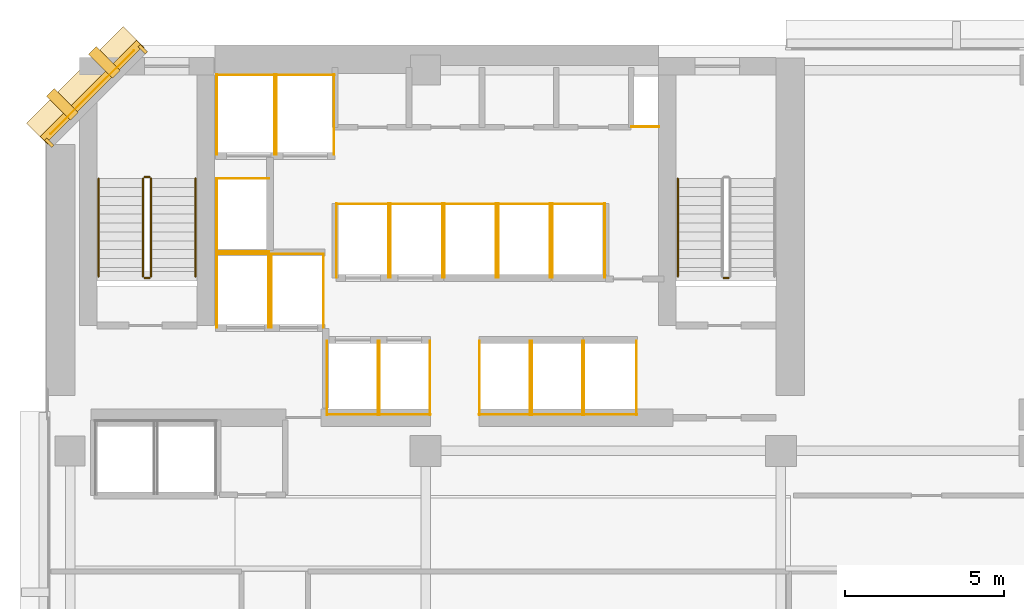
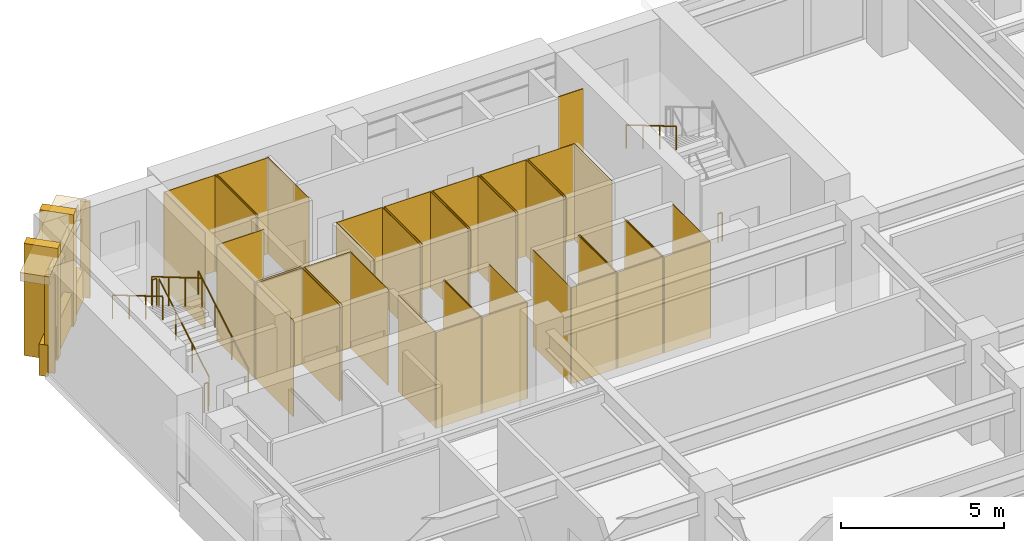
# One storey, part 11 of 13: 53 coverings, 8 railings.
"""IFC4 building model written with IfcOpenShell, lengths in metres."""

from ifc_helpers import new_model, si_unit, direction, frame, origin, origin_2d, place, context, subcontext, project, spatial, polyline, rectangle, circle, outline, extrude, material, layer, layer_set, type_object, element, save


model = new_model("IFC4")

# Units and contexts
model_context = context("Model", 3, precision=1e-05, world=origin(), true_north=direction((0.0, 1.0)))
body_context = subcontext(model_context, "Body", "Model", "MODEL_VIEW")
ifc_project = project(units=[si_unit("LENGTHUNIT", "METRE"), si_unit("AREAUNIT", "SQUARE_METRE"), si_unit("VOLUMEUNIT", "CUBIC_METRE"), si_unit("PLANEANGLEUNIT", "RADIAN"), si_unit("MASSUNIT", "GRAM", prefix="KILO")], contexts=[model_context])

# Site, building, storey
site_placement = place(None, origin())
site = spatial("IfcSite", under=ifc_project, at=site_placement, CompositionType="ELEMENT")
building_placement = place(site_placement, origin())
building = spatial("IfcBuilding", under=site, at=building_placement, Name="Kefirva Bronze Tower", CompositionType="ELEMENT")
storey_placement = place(building_placement, frame((0.0, 0.0, 89.760009765625)))
storey = spatial("IfcBuildingStorey", under=building, at=storey_placement, Name="L21", CompositionType="ELEMENT", Elevation=89.760009765625)

# Coverings
ifc_material_1 = material(Name="Bronze anodised aluminium", Category="aluminium")
ifc_layer_1 = layer(ifc_material_1, 0.02001953125, Name="Bronze anodised aluminium")
ifc_layer_set_1 = layer_set([ifc_layer_1], Name="Bronze anodised aluminium")
covering_type_1 = type_object("IfcCoveringType", Name="Anodised Bronze Spandrel Cladding 20mm", PredefinedType="CLADDING", material=ifc_layer_set_1)
covering_1_placement = place(storey_placement, frame((1.492919921875, 44.507080078125, 3.18994140625), z_axis=(0.0, 0.0, 1.0), x_axis=(-0.707106781187, -0.707106781187, 0.0)))
element("IfcCovering", 1, at=covering_1_placement, inside=storey, type_object=covering_type_1, Name="L21 Bronze Spandrel Cladding 9", PredefinedType="CLADDING", context=body_context, shape_type="SweptSolid", body=[
    extrude(rectangle(XDim=3.719482421875, YDim=0.02001953125, at=origin_2d()), origin(), (0.0, 0.0, 1.0), 0.39990234375),
])
for number, where, z_axis, x_axis, name in (
    (2, (3.08837890625, 45.862060546875, 0.0), (0.0, 0.0, 1.0), (-0.707106781187, -0.707106781187, 0.0), "L21 Facade Joint Closure Panel 9S"),
    (3, (0.137939453125, 42.91162109375, 0.0), (0.0, 0.0, 1.0), (-0.707106781187, -0.707106781187, 0.0), "L21 Facade Joint Closure Panel 9E"),
):
    element("IfcCovering", number, at=place(storey_placement, frame(where, z_axis=z_axis, x_axis=x_axis)), inside=storey, type_object=covering_type_1, Name=name, PredefinedType="CLADDING", context=body_context, shape_type="SweptSolid", body=[
        extrude(rectangle(XDim=0.10009765625, YDim=0.320068359375, at=origin_2d()), origin(), (0.0, 0.0, 1.0), 3.610107421875),
    ])
covering_2_placement = place(storey_placement, frame((1.4716796875, 44.5283203125, -0.16015625), z_axis=(0.0, 0.0, 1.0), x_axis=(-0.707106781187, -0.707106781187, 0.0)))
element("IfcCovering", 4, at=covering_2_placement, inside=storey, type_object=covering_type_1, Name="L21 Streamline Horizontal Spandrel Band 13", PredefinedType="CLADDING", context=body_context, shape_type="SweptSolid", body=[
    extrude(rectangle(XDim=4.28271484375, YDim=0.280029296875, at=origin_2d()), origin(), (0.0, 0.0, 1.0), 1.179931640625),
])
covering_3_placement = place(storey_placement, origin())
element("IfcCovering", 5, at=covering_3_placement, inside=storey, type_object=covering_type_1, Name="L21 Lift FF1 Hoistway Liner N", PredefinedType="CLADDING", context=body_context, shape_type="SweptSolid", body=[
    extrude(outline(polyline([(5.39990234375, 39.389892578125), (7.080078125, 39.389892578125), (7.080078125, 39.409912109375), (5.39990234375, 39.409912109375), (5.39990234375, 39.389892578125)])), origin(), (0.0, 0.0, 1.0), 3.610107421875),
])
covering_4_placement = place(storey_placement, origin())
element("IfcCovering", 6, at=covering_4_placement, inside=storey, type_object=covering_type_1, Name="L21 Lift FF1 Hoistway Liner W", PredefinedType="CLADDING", context=body_context, shape_type="SweptSolid", body=[
    extrude(outline(polyline([(5.409912109375, 37.080078125), (5.429931640625, 37.080078125), (5.429931640625, 39.419921875), (5.409912109375, 39.419921875), (5.409912109375, 37.080078125)])), origin(), (0.0, 0.0, 1.0), 3.610107421875),
])
covering_5_placement = place(storey_placement, origin())
element("IfcCovering", 7, at=covering_5_placement, inside=storey, type_object=covering_type_1, Name="L21 Lift FF1 Hoistway Liner E", PredefinedType="CLADDING", context=body_context, shape_type="SweptSolid", body=[
    extrude(outline(polyline([(7.050048828125, 37.080078125), (7.070068359375, 37.080078125), (7.070068359375, 39.419921875), (7.050048828125, 39.419921875), (7.050048828125, 37.080078125)])), origin(), (0.0, 0.0, 1.0), 3.610107421875),
])
covering_6_placement = place(storey_placement, origin())
element("IfcCovering", 8, at=covering_6_placement, inside=storey, type_object=covering_type_1, Name="L21 Lift FF2 Hoistway Liner N", PredefinedType="CLADDING", context=body_context, shape_type="SweptSolid", body=[
    extrude(outline(polyline([(7.1201171875, 39.389892578125), (8.800048828125, 39.389892578125), (8.800048828125, 39.409912109375), (7.1201171875, 39.409912109375), (7.1201171875, 39.389892578125)])), origin(), (0.0, 0.0, 1.0), 3.610107421875),
])
covering_7_placement = place(storey_placement, origin())
element("IfcCovering", 9, at=covering_7_placement, inside=storey, type_object=covering_type_1, Name="L21 Lift FF2 Hoistway Liner W", PredefinedType="CLADDING", context=body_context, shape_type="SweptSolid", body=[
    extrude(outline(polyline([(7.1298828125, 37.080078125), (7.14990234375, 37.080078125), (7.14990234375, 39.419921875), (7.1298828125, 39.419921875), (7.1298828125, 37.080078125)])), origin(), (0.0, 0.0, 1.0), 3.610107421875),
])
covering_8_placement = place(storey_placement, origin())
element("IfcCovering", 10, at=covering_8_placement, inside=storey, type_object=covering_type_1, Name="L21 Lift FF2 Hoistway Liner E", PredefinedType="CLADDING", context=body_context, shape_type="SweptSolid", body=[
    extrude(outline(polyline([(8.77001953125, 37.080078125), (8.7900390625, 37.080078125), (8.7900390625, 39.419921875), (8.77001953125, 39.419921875), (8.77001953125, 37.080078125)])), origin(), (0.0, 0.0, 1.0), 3.610107421875),
])
covering_9_placement = place(storey_placement, origin())
element("IfcCovering", 11, at=covering_9_placement, inside=storey, type_object=covering_type_1, Name="L21 Lift SV1 Hoistway Liner N", PredefinedType="CLADDING", context=body_context, shape_type="SweptSolid", body=[
    extrude(outline(polyline([(5.39990234375, 45.0400390625), (7.260009765625, 45.0400390625), (7.260009765625, 45.06005859375), (5.39990234375, 45.06005859375), (5.39990234375, 45.0400390625)])), origin(), (0.0, 0.0, 1.0), 3.610107421875),
])
covering_10_placement = place(storey_placement, origin())
element("IfcCovering", 12, at=covering_10_placement, inside=storey, type_object=covering_type_1, Name="L21 Lift SV1 Hoistway Liner W", PredefinedType="CLADDING", context=body_context, shape_type="SweptSolid", body=[
    extrude(outline(polyline([(5.409912109375, 42.530029296875), (5.429931640625, 42.530029296875), (5.429931640625, 45.070068359375), (5.409912109375, 45.070068359375), (5.409912109375, 42.530029296875)])), origin(), (0.0, 0.0, 1.0), 3.610107421875),
])
covering_11_placement = place(storey_placement, origin())
element("IfcCovering", 13, at=covering_11_placement, inside=storey, type_object=covering_type_1, Name="L21 Lift SV1 Hoistway Liner E", PredefinedType="CLADDING", context=body_context, shape_type="SweptSolid", body=[
    extrude(outline(polyline([(7.22998046875, 42.530029296875), (7.25, 42.530029296875), (7.25, 45.070068359375), (7.22998046875, 45.070068359375), (7.22998046875, 42.530029296875)])), origin(), (0.0, 0.0, 1.0), 3.610107421875),
])
covering_12_placement = place(storey_placement, origin())
element("IfcCovering", 14, at=covering_12_placement, inside=storey, type_object=covering_type_1, Name="L21 Lift SV2 Hoistway Liner N", PredefinedType="CLADDING", context=body_context, shape_type="SweptSolid", body=[
    extrude(outline(polyline([(7.280029296875, 45.0400390625), (9.139892578125, 45.0400390625), (9.139892578125, 45.06005859375), (7.280029296875, 45.06005859375), (7.280029296875, 45.0400390625)])), origin(), (0.0, 0.0, 1.0), 3.610107421875),
])
covering_13_placement = place(storey_placement, origin())
element("IfcCovering", 15, at=covering_13_placement, inside=storey, type_object=covering_type_1, Name="L21 Lift SV2 Hoistway Liner W", PredefinedType="CLADDING", context=body_context, shape_type="SweptSolid", body=[
    extrude(outline(polyline([(7.2900390625, 42.530029296875), (7.31005859375, 42.530029296875), (7.31005859375, 45.070068359375), (7.2900390625, 45.070068359375), (7.2900390625, 42.530029296875)])), origin(), (0.0, 0.0, 1.0), 3.610107421875),
])
covering_14_placement = place(storey_placement, origin())
element("IfcCovering", 16, at=covering_14_placement, inside=storey, type_object=covering_type_1, Name="L21 Lift SV2 Hoistway Liner E", PredefinedType="CLADDING", context=body_context, shape_type="SweptSolid", body=[
    extrude(outline(polyline([(9.110107421875, 42.530029296875), (9.1298828125, 42.530029296875), (9.1298828125, 45.070068359375), (9.110107421875, 45.070068359375), (9.110107421875, 42.530029296875)])), origin(), (0.0, 0.0, 1.0), 3.610107421875),
])
covering_15_placement = place(storey_placement, origin())
element("IfcCovering", 17, at=covering_15_placement, inside=storey, type_object=covering_type_1, Name="L21 Lift LP1 Hoistway Liner S", PredefinedType="CLADDING", context=body_context, shape_type="SweptSolid", body=[
    extrude(outline(polyline([(8.8798828125, 34.340087890625), (10.52001953125, 34.340087890625), (10.52001953125, 34.360107421875), (8.8798828125, 34.360107421875), (8.8798828125, 34.340087890625)])), origin(), (0.0, 0.0, 1.0), 3.610107421875),
])
covering_16_placement = place(storey_placement, origin())
element("IfcCovering", 18, at=covering_16_placement, inside=storey, type_object=covering_type_1, Name="L21 Lift LP1 Hoistway Liner W", PredefinedType="CLADDING", context=body_context, shape_type="SweptSolid", body=[
    extrude(outline(polyline([(8.889892578125, 34.330078125), (8.909912109375, 34.330078125), (8.909912109375, 36.669921875), (8.889892578125, 36.669921875), (8.889892578125, 34.330078125)])), origin(), (0.0, 0.0, 1.0), 3.610107421875),
])
covering_17_placement = place(storey_placement, origin())
element("IfcCovering", 19, at=covering_17_placement, inside=storey, type_object=covering_type_1, Name="L21 Lift LP1 Hoistway Liner E", PredefinedType="CLADDING", context=body_context, shape_type="SweptSolid", body=[
    extrude(outline(polyline([(10.489990234375, 34.330078125), (10.510009765625, 34.330078125), (10.510009765625, 36.669921875), (10.489990234375, 36.669921875), (10.489990234375, 34.330078125)])), origin(), (0.0, 0.0, 1.0), 3.610107421875),
])
covering_18_placement = place(storey_placement, origin())
element("IfcCovering", 20, at=covering_18_placement, inside=storey, type_object=covering_type_1, Name="L21 Lift LP2 Hoistway Liner S", PredefinedType="CLADDING", context=body_context, shape_type="SweptSolid", body=[
    extrude(outline(polyline([(10.52001953125, 34.340087890625), (12.159912109375, 34.340087890625), (12.159912109375, 34.360107421875), (10.52001953125, 34.360107421875), (10.52001953125, 34.340087890625)])), origin(), (0.0, 0.0, 1.0), 3.610107421875),
])
covering_19_placement = place(storey_placement, origin())
element("IfcCovering", 21, at=covering_19_placement, inside=storey, type_object=covering_type_1, Name="L21 Lift LP2 Hoistway Liner W", PredefinedType="CLADDING", context=body_context, shape_type="SweptSolid", body=[
    extrude(outline(polyline([(10.530029296875, 34.330078125), (10.550048828125, 34.330078125), (10.550048828125, 36.669921875), (10.530029296875, 36.669921875), (10.530029296875, 34.330078125)])), origin(), (0.0, 0.0, 1.0), 3.610107421875),
])
covering_20_placement = place(storey_placement, origin())
element("IfcCovering", 22, at=covering_20_placement, inside=storey, type_object=covering_type_1, Name="L21 Lift LP2 Hoistway Liner E", PredefinedType="CLADDING", context=body_context, shape_type="SweptSolid", body=[
    extrude(outline(polyline([(12.1298828125, 34.330078125), (12.14990234375, 34.330078125), (12.14990234375, 36.669921875), (12.1298828125, 36.669921875), (12.1298828125, 34.330078125)])), origin(), (0.0, 0.0, 1.0), 3.610107421875),
])
covering_21_placement = place(storey_placement, origin())
element("IfcCovering", 23, at=covering_21_placement, inside=storey, type_object=covering_type_1, Name="L21 Lift LP3 Hoistway Liner N", PredefinedType="CLADDING", context=body_context, shape_type="SweptSolid", body=[
    extrude(outline(polyline([(9.179931640625, 40.969970703125), (10.85009765625, 40.969970703125), (10.85009765625, 40.989990234375), (9.179931640625, 40.989990234375), (9.179931640625, 40.969970703125)])), origin(), (0.0, 0.0, 1.0), 3.610107421875),
])
covering_22_placement = place(storey_placement, origin())
element("IfcCovering", 24, at=covering_22_placement, inside=storey, type_object=covering_type_1, Name="L21 Lift LP3 Hoistway Liner W", PredefinedType="CLADDING", context=body_context, shape_type="SweptSolid", body=[
    extrude(outline(polyline([(9.18994140625, 38.659912109375), (9.2099609375, 38.659912109375), (9.2099609375, 41.0), (9.18994140625, 41.0), (9.18994140625, 38.659912109375)])), origin(), (0.0, 0.0, 1.0), 3.610107421875),
])
covering_23_placement = place(storey_placement, origin())
element("IfcCovering", 25, at=covering_23_placement, inside=storey, type_object=covering_type_1, Name="L21 Lift LP3 Hoistway Liner E", PredefinedType="CLADDING", context=body_context, shape_type="SweptSolid", body=[
    extrude(outline(polyline([(10.820068359375, 38.659912109375), (10.840087890625, 38.659912109375), (10.840087890625, 41.0), (10.820068359375, 41.0), (10.820068359375, 38.659912109375)])), origin(), (0.0, 0.0, 1.0), 3.610107421875),
])
covering_24_placement = place(storey_placement, origin())
element("IfcCovering", 26, at=covering_24_placement, inside=storey, type_object=covering_type_1, Name="L21 Lift LP4 Hoistway Liner N", PredefinedType="CLADDING", context=body_context, shape_type="SweptSolid", body=[
    extrude(outline(polyline([(10.8798828125, 40.969970703125), (12.550048828125, 40.969970703125), (12.550048828125, 40.989990234375), (10.8798828125, 40.989990234375), (10.8798828125, 40.969970703125)])), origin(), (0.0, 0.0, 1.0), 3.610107421875),
])
covering_25_placement = place(storey_placement, origin())
element("IfcCovering", 27, at=covering_25_placement, inside=storey, type_object=covering_type_1, Name="L21 Lift LP4 Hoistway Liner W", PredefinedType="CLADDING", context=body_context, shape_type="SweptSolid", body=[
    extrude(outline(polyline([(10.889892578125, 38.659912109375), (10.909912109375, 38.659912109375), (10.909912109375, 41.0), (10.889892578125, 41.0), (10.889892578125, 38.659912109375)])), origin(), (0.0, 0.0, 1.0), 3.610107421875),
])
covering_26_placement = place(storey_placement, origin())
element("IfcCovering", 28, at=covering_26_placement, inside=storey, type_object=covering_type_1, Name="L21 Lift LP4 Hoistway Liner E", PredefinedType="CLADDING", context=body_context, shape_type="SweptSolid", body=[
    extrude(outline(polyline([(12.52001953125, 38.659912109375), (12.5400390625, 38.659912109375), (12.5400390625, 41.0), (12.52001953125, 41.0), (12.52001953125, 38.659912109375)])), origin(), (0.0, 0.0, 1.0), 3.610107421875),
])
covering_27_placement = place(storey_placement, origin())
element("IfcCovering", 29, at=covering_27_placement, inside=storey, type_object=covering_type_1, Name="L21 Lift MP1 Hoistway Liner S", PredefinedType="CLADDING", context=body_context, shape_type="SweptSolid", body=[
    extrude(outline(polyline([(13.679931640625, 34.340087890625), (15.320068359375, 34.340087890625), (15.320068359375, 34.360107421875), (13.679931640625, 34.360107421875), (13.679931640625, 34.340087890625)])), origin(), (0.0, 0.0, 1.0), 3.610107421875),
])
covering_28_placement = place(storey_placement, origin())
element("IfcCovering", 30, at=covering_28_placement, inside=storey, type_object=covering_type_1, Name="L21 Lift MP1 Hoistway Liner W", PredefinedType="CLADDING", context=body_context, shape_type="SweptSolid", body=[
    extrude(outline(polyline([(13.68994140625, 34.330078125), (13.7099609375, 34.330078125), (13.7099609375, 36.669921875), (13.68994140625, 36.669921875), (13.68994140625, 34.330078125)])), origin(), (0.0, 0.0, 1.0), 3.610107421875),
])
covering_29_placement = place(storey_placement, origin())
element("IfcCovering", 31, at=covering_29_placement, inside=storey, type_object=covering_type_1, Name="L21 Lift MP1 Hoistway Liner E", PredefinedType="CLADDING", context=body_context, shape_type="SweptSolid", body=[
    extrude(outline(polyline([(15.2900390625, 34.330078125), (15.31005859375, 34.330078125), (15.31005859375, 36.669921875), (15.2900390625, 36.669921875), (15.2900390625, 34.330078125)])), origin(), (0.0, 0.0, 1.0), 3.610107421875),
])
covering_30_placement = place(storey_placement, origin())
element("IfcCovering", 32, at=covering_30_placement, inside=storey, type_object=covering_type_1, Name="L21 Lift MP2 Hoistway Liner S", PredefinedType="CLADDING", context=body_context, shape_type="SweptSolid", body=[
    extrude(outline(polyline([(15.330078125, 34.340087890625), (16.969970703125, 34.340087890625), (16.969970703125, 34.360107421875), (15.330078125, 34.360107421875), (15.330078125, 34.340087890625)])), origin(), (0.0, 0.0, 1.0), 3.610107421875),
])
covering_31_placement = place(storey_placement, origin())
element("IfcCovering", 33, at=covering_31_placement, inside=storey, type_object=covering_type_1, Name="L21 Lift MP2 Hoistway Liner W", PredefinedType="CLADDING", context=body_context, shape_type="SweptSolid", body=[
    extrude(outline(polyline([(15.340087890625, 34.330078125), (15.360107421875, 34.330078125), (15.360107421875, 36.669921875), (15.340087890625, 36.669921875), (15.340087890625, 34.330078125)])), origin(), (0.0, 0.0, 1.0), 3.610107421875),
])
covering_32_placement = place(storey_placement, origin())
element("IfcCovering", 34, at=covering_32_placement, inside=storey, type_object=covering_type_1, Name="L21 Lift MP2 Hoistway Liner E", PredefinedType="CLADDING", context=body_context, shape_type="SweptSolid", body=[
    extrude(outline(polyline([(16.93994140625, 34.330078125), (16.9599609375, 34.330078125), (16.9599609375, 36.669921875), (16.93994140625, 36.669921875), (16.93994140625, 34.330078125)])), origin(), (0.0, 0.0, 1.0), 3.610107421875),
])
covering_33_placement = place(storey_placement, origin())
element("IfcCovering", 35, at=covering_33_placement, inside=storey, type_object=covering_type_1, Name="L21 Lift MP3 Hoistway Liner N", PredefinedType="CLADDING", context=body_context, shape_type="SweptSolid", body=[
    extrude(outline(polyline([(12.580078125, 40.969970703125), (14.25, 40.969970703125), (14.25, 40.989990234375), (12.580078125, 40.989990234375), (12.580078125, 40.969970703125)])), origin(), (0.0, 0.0, 1.0), 3.610107421875),
])
covering_34_placement = place(storey_placement, origin())
element("IfcCovering", 36, at=covering_34_placement, inside=storey, type_object=covering_type_1, Name="L21 Lift MP3 Hoistway Liner W", PredefinedType="CLADDING", context=body_context, shape_type="SweptSolid", body=[
    extrude(outline(polyline([(12.590087890625, 38.659912109375), (12.610107421875, 38.659912109375), (12.610107421875, 41.0), (12.590087890625, 41.0), (12.590087890625, 38.659912109375)])), origin(), (0.0, 0.0, 1.0), 3.610107421875),
])
covering_35_placement = place(storey_placement, origin())
element("IfcCovering", 37, at=covering_35_placement, inside=storey, type_object=covering_type_1, Name="L21 Lift MP3 Hoistway Liner E", PredefinedType="CLADDING", context=body_context, shape_type="SweptSolid", body=[
    extrude(outline(polyline([(14.219970703125, 38.659912109375), (14.239990234375, 38.659912109375), (14.239990234375, 41.0), (14.219970703125, 41.0), (14.219970703125, 38.659912109375)])), origin(), (0.0, 0.0, 1.0), 3.610107421875),
])
covering_36_placement = place(storey_placement, origin())
element("IfcCovering", 38, at=covering_36_placement, inside=storey, type_object=covering_type_1, Name="L21 Lift MP4 Hoistway Liner N", PredefinedType="CLADDING", context=body_context, shape_type="SweptSolid", body=[
    extrude(outline(polyline([(14.280029296875, 40.969970703125), (15.949951171875, 40.969970703125), (15.949951171875, 40.989990234375), (14.280029296875, 40.989990234375), (14.280029296875, 40.969970703125)])), origin(), (0.0, 0.0, 1.0), 3.610107421875),
])
covering_37_placement = place(storey_placement, origin())
element("IfcCovering", 39, at=covering_37_placement, inside=storey, type_object=covering_type_1, Name="L21 Lift MP4 Hoistway Liner W", PredefinedType="CLADDING", context=body_context, shape_type="SweptSolid", body=[
    extrude(outline(polyline([(14.2900390625, 38.659912109375), (14.31005859375, 38.659912109375), (14.31005859375, 41.0), (14.2900390625, 41.0), (14.2900390625, 38.659912109375)])), origin(), (0.0, 0.0, 1.0), 3.610107421875),
])
covering_38_placement = place(storey_placement, origin())
element("IfcCovering", 40, at=covering_38_placement, inside=storey, type_object=covering_type_1, Name="L21 Lift MP4 Hoistway Liner E", PredefinedType="CLADDING", context=body_context, shape_type="SweptSolid", body=[
    extrude(outline(polyline([(15.919921875, 38.659912109375), (15.93994140625, 38.659912109375), (15.93994140625, 41.0), (15.919921875, 41.0), (15.919921875, 38.659912109375)])), origin(), (0.0, 0.0, 1.0), 3.610107421875),
])
covering_39_placement = place(storey_placement, origin())
element("IfcCovering", 41, at=covering_39_placement, inside=storey, type_object=covering_type_1, Name="L21 Lift HP1 Hoistway Liner S", PredefinedType="CLADDING", context=body_context, shape_type="SweptSolid", body=[
    extrude(outline(polyline([(16.97998046875, 34.340087890625), (18.669921875, 34.340087890625), (18.669921875, 34.360107421875), (16.97998046875, 34.360107421875), (16.97998046875, 34.340087890625)])), origin(), (0.0, 0.0, 1.0), 3.610107421875),
])
covering_40_placement = place(storey_placement, origin())
element("IfcCovering", 42, at=covering_40_placement, inside=storey, type_object=covering_type_1, Name="L21 Lift HP1 Hoistway Liner W", PredefinedType="CLADDING", context=body_context, shape_type="SweptSolid", body=[
    extrude(outline(polyline([(16.989990234375, 34.330078125), (17.010009765625, 34.330078125), (17.010009765625, 36.669921875), (16.989990234375, 36.669921875), (16.989990234375, 34.330078125)])), origin(), (0.0, 0.0, 1.0), 3.610107421875),
])
covering_41_placement = place(storey_placement, origin())
element("IfcCovering", 43, at=covering_41_placement, inside=storey, type_object=covering_type_1, Name="L21 Lift HP1 Hoistway Liner E", PredefinedType="CLADDING", context=body_context, shape_type="SweptSolid", body=[
    extrude(outline(polyline([(18.639892578125, 34.330078125), (18.659912109375, 34.330078125), (18.659912109375, 36.669921875), (18.639892578125, 36.669921875), (18.639892578125, 34.330078125)])), origin(), (0.0, 0.0, 1.0), 3.610107421875),
])
covering_42_placement = place(storey_placement, origin())
element("IfcCovering", 44, at=covering_42_placement, inside=storey, type_object=covering_type_1, Name="L21 Lift HP2 Hoistway Liner N", PredefinedType="CLADDING", context=body_context, shape_type="SweptSolid", body=[
    extrude(outline(polyline([(15.97998046875, 40.969970703125), (17.669921875, 40.969970703125), (17.669921875, 40.989990234375), (15.97998046875, 40.989990234375), (15.97998046875, 40.969970703125)])), origin(), (0.0, 0.0, 1.0), 3.610107421875),
])
covering_43_placement = place(storey_placement, origin())
element("IfcCovering", 45, at=covering_43_placement, inside=storey, type_object=covering_type_1, Name="L21 Lift HP2 Hoistway Liner W", PredefinedType="CLADDING", context=body_context, shape_type="SweptSolid", body=[
    extrude(outline(polyline([(15.989990234375, 38.659912109375), (16.010009765625, 38.659912109375), (16.010009765625, 41.0), (15.989990234375, 41.0), (15.989990234375, 38.659912109375)])), origin(), (0.0, 0.0, 1.0), 3.610107421875),
])
covering_44_placement = place(storey_placement, origin())
element("IfcCovering", 46, at=covering_44_placement, inside=storey, type_object=covering_type_1, Name="L21 Lift HP2 Hoistway Liner E", PredefinedType="CLADDING", context=body_context, shape_type="SweptSolid", body=[
    extrude(outline(polyline([(17.639892578125, 38.659912109375), (17.659912109375, 38.659912109375), (17.659912109375, 41.0), (17.639892578125, 41.0), (17.639892578125, 38.659912109375)])), origin(), (0.0, 0.0, 1.0), 3.610107421875),
])
covering_45_placement = place(storey_placement, origin())
element("IfcCovering", 47, at=covering_45_placement, inside=storey, type_object=covering_type_1, Name="L21 Lift HP3 Hoistway Liner N", PredefinedType="CLADDING", context=body_context, shape_type="SweptSolid", body=[
    extrude(outline(polyline([(5.39990234375, 41.77001953125), (7.080078125, 41.77001953125), (7.080078125, 41.7900390625), (5.39990234375, 41.7900390625), (5.39990234375, 41.77001953125)])), origin(), (0.0, 0.0, 1.0), 3.610107421875),
])
covering_46_placement = place(storey_placement, origin())
element("IfcCovering", 48, at=covering_46_placement, inside=storey, type_object=covering_type_1, Name="L21 Lift HP3 Hoistway Liner S", PredefinedType="CLADDING", context=body_context, shape_type="SweptSolid", body=[
    extrude(outline(polyline([(5.39990234375, 39.469970703125), (7.080078125, 39.469970703125), (7.080078125, 39.489990234375), (5.39990234375, 39.489990234375), (5.39990234375, 39.469970703125)])), origin(), (0.0, 0.0, 1.0), 3.610107421875),
])
covering_47_placement = place(storey_placement, origin())
element("IfcCovering", 49, at=covering_47_placement, inside=storey, type_object=covering_type_1, Name="L21 Lift HP3 Hoistway Liner W", PredefinedType="CLADDING", context=body_context, shape_type="SweptSolid", body=[
    extrude(outline(polyline([(5.409912109375, 39.4599609375), (5.429931640625, 39.4599609375), (5.429931640625, 41.800048828125), (5.409912109375, 41.800048828125), (5.409912109375, 39.4599609375)])), origin(), (0.0, 0.0, 1.0), 3.610107421875),
])
covering_48_placement = place(storey_placement, origin())
element("IfcCovering", 50, at=covering_48_placement, inside=storey, type_object=covering_type_1, Name="L21 Core MEP Riser Shaft Liner South", PredefinedType="CLADDING", context=body_context, shape_type="SweptSolid", body=[
    extrude(outline(polyline([(18.47998046875, 43.39990234375), (19.360107421875, 43.39990234375), (19.360107421875, 43.429931640625), (18.47998046875, 43.429931640625), (18.47998046875, 43.39990234375)])), origin(), (0.0, 0.0, 1.0), 3.610107421875),
])

# Railings
ifc_material_2 = material(Name="Stainless steel 316", Category="steel")
railing_type_1 = type_object("IfcRailingType", Name="Interior Stair Guardrail 1100mm", PredefinedType="GUARDRAIL", material=ifc_material_2)
railing_1_placement = place(storey_placement, frame((3.35009765625, 38.699951171875, 0.1650390625)))
element("IfcRailing", 51, at=railing_1_placement, inside=storey, type_object=railing_type_1, Name="L21 ST-1 stair guard 1", PredefinedType="GUARDRAIL", context=body_context, shape_type="SweptSolid", body=[
    extrude(circle(Radius=0.02392578125, at=origin_2d()), frame((0.0, 0.0, 1.076171875), z_axis=(0.0, 0.861551262678, 0.507670583921), x_axis=(-1.0, 0.0, 0.0)), (0.0, 0.0, 1.0), 3.574951171875),
    extrude(circle(Radius=0.02099609375, at=origin_2d()), origin(), (0.0, 0.0, 1.0), 1.052001953125),
    extrude(circle(Radius=0.02099609375, at=origin_2d()), frame((0.0, 1.026611328125, 0.60498046875)), (0.0, 0.0, 1.0), 1.052001953125),
    extrude(circle(Radius=0.02099609375, at=origin_2d()), frame((0.0, 2.053466796875, 1.2099609375)), (0.0, 0.0, 1.0), 1.052001953125),
    extrude(circle(Radius=0.02099609375, at=origin_2d()), frame((0.0, 3.080078125, 1.81494140625)), (0.0, 0.0, 1.0), 1.052001953125),
])
railing_2_placement = place(storey_placement, frame((3.300048828125, 41.830078125, 1.97998046875)))
element("IfcRailing", 52, at=railing_2_placement, inside=storey, type_object=railing_type_1, Name="L21 ST-1 stair guard 2", PredefinedType="GUARDRAIL", context=body_context, shape_type="SweptSolid", body=[
    extrude(circle(Radius=0.02392578125, at=origin_2d()), frame((0.0, 0.0, 1.076171875), z_axis=(-1.0, 0.0, 0.0), x_axis=(0.0, -1.0, 0.0)), (0.0, 0.0, 1.0), 0.150146484375),
    extrude(circle(Radius=0.02099609375, at=origin_2d()), origin(), (0.0, 0.0, 1.0), 1.052001953125),
    extrude(circle(Radius=0.02099609375, at=origin_2d()), frame((-0.150146484375, 0.0, 0.0)), (0.0, 0.0, 1.0), 1.052001953125),
])
railing_3_placement = place(storey_placement, frame((3.10009765625, 41.780029296875, 2.14501953125)))
element("IfcRailing", 53, at=railing_3_placement, inside=storey, type_object=railing_type_1, Name="L21 ST-1 stair guard 3", PredefinedType="GUARDRAIL", context=body_context, shape_type="SweptSolid", body=[
    extrude(circle(Radius=0.02392578125, at=origin_2d()), frame((0.0, 0.0, 1.076171875), z_axis=(0.0, -0.861551262678, 0.507670583921), x_axis=(1.0, 0.0, 0.0)), (0.0, 0.0, 1.0), 3.574951171875),
    extrude(circle(Radius=0.02099609375, at=origin_2d()), origin(), (0.0, 0.0, 1.0), 1.052001953125),
    extrude(circle(Radius=0.02099609375, at=origin_2d()), frame((0.0, -1.026611328125, 0.60498046875)), (0.0, 0.0, 1.0), 1.052001953125),
    extrude(circle(Radius=0.02099609375, at=origin_2d()), frame((0.0, -2.053466796875, 1.2099609375)), (0.0, 0.0, 1.0), 1.052001953125),
    extrude(circle(Radius=0.02099609375, at=origin_2d()), frame((0.0, -3.080078125, 1.81494140625)), (0.0, 0.0, 1.0), 1.052001953125),
])
for number, where, name in (
    (54, (3.300048828125, 38.64990234375, 0.0), "L21 ST-1 stair guard 4"),
    (55, (21.550048828125, 38.64990234375, 0.0), "L21 ST-2 stair guard 4"),
):
    element("IfcRailing", number, at=place(storey_placement, frame(where)), inside=storey, type_object=railing_type_1, Name=name, PredefinedType="GUARDRAIL", context=body_context, shape_type="SweptSolid", body=[
        extrude(circle(Radius=0.02392578125, at=origin_2d()), frame((0.0, 0.0, 1.076171875), z_axis=(-1.0, 0.0, 0.0), x_axis=(0.0, -1.0, 0.0)), (0.0, 0.0, 1.0), 0.150146484375),
        extrude(circle(Radius=0.02099609375, at=origin_2d()), origin(), (0.0, 0.0, 1.0), 1.052001953125),
        extrude(circle(Radius=0.02099609375, at=origin_2d()), frame((-0.150146484375, 0.0, 0.0)), (0.0, 0.0, 1.0), 1.052001953125),
    ])
railing_type_2 = type_object("IfcRailingType", Name="Stair Pitch Handrail 900mm", PredefinedType="HANDRAIL", material=ifc_material_2)
railing_4_placement = place(storey_placement, frame((4.75, 38.699951171875, 0.1650390625)))
element("IfcRailing", 56, at=railing_4_placement, inside=storey, type_object=railing_type_2, Name="L21 ST-1 stair handrail 1", PredefinedType="HANDRAIL", context=body_context, shape_type="SweptSolid", body=[
    extrude(circle(Radius=0.02392578125, at=origin_2d()), frame((0.0, 0.0, 0.8759765625), z_axis=(0.0, 0.861551262678, 0.507670583921), x_axis=(-1.0, 0.0, 0.0)), (0.0, 0.0, 1.0), 3.574951171875),
    extrude(circle(Radius=0.02099609375, at=origin_2d()), origin(), (0.0, 0.0, 1.0), 0.851806640625),
    extrude(circle(Radius=0.02099609375, at=origin_2d()), frame((0.0, 1.026611328125, 0.60498046875)), (0.0, 0.0, 1.0), 0.851806640625),
    extrude(circle(Radius=0.02099609375, at=origin_2d()), frame((0.0, 2.053466796875, 1.2099609375)), (0.0, 0.0, 1.0), 0.851806640625),
    extrude(circle(Radius=0.02099609375, at=origin_2d()), frame((0.0, 3.080078125, 1.81494140625)), (0.0, 0.0, 1.0), 0.851806640625),
])
for number, where, name in (
    (57, (1.699951171875, 41.780029296875, 2.14501953125), "L21 ST-1 stair handrail 2"),
    (58, (19.949951171875, 41.780029296875, 2.14501953125), "L21 ST-2 stair handrail 2"),
):
    element("IfcRailing", number, at=place(storey_placement, frame(where)), inside=storey, type_object=railing_type_2, Name=name, PredefinedType="HANDRAIL", context=body_context, shape_type="SweptSolid", body=[
        extrude(circle(Radius=0.02392578125, at=origin_2d()), frame((0.0, 0.0, 0.8759765625), z_axis=(0.0, -0.861551262678, 0.507670583921), x_axis=(1.0, 0.0, 0.0)), (0.0, 0.0, 1.0), 3.574951171875),
        extrude(circle(Radius=0.02099609375, at=origin_2d()), origin(), (0.0, 0.0, 1.0), 0.851806640625),
        extrude(circle(Radius=0.02099609375, at=origin_2d()), frame((0.0, -1.026611328125, 0.60498046875)), (0.0, 0.0, 1.0), 0.851806640625),
        extrude(circle(Radius=0.02099609375, at=origin_2d()), frame((0.0, -2.053466796875, 1.2099609375)), (0.0, 0.0, 1.0), 0.851806640625),
        extrude(circle(Radius=0.02099609375, at=origin_2d()), frame((0.0, -3.080078125, 1.81494140625)), (0.0, 0.0, 1.0), 0.851806640625),
    ])

# Coverings
ifc_layer_2 = layer(ifc_material_1, 0.179931640625, Name="Bronze anodised aluminium")
ifc_layer_set_2 = layer_set([ifc_layer_2], Name="Bronze anodised aluminium")
covering_type_2 = type_object("IfcCoveringType", Name="Streamline Bronze Sunshade Eyebrow Cladding 180mm", PredefinedType="CLADDING", material=ifc_layer_set_2)
covering_49_placement = place(storey_placement, frame((1.28076171875, 44.71923828125, 3.2900390625), z_axis=(0.0, 0.0, 1.0), x_axis=(-0.707106781187, -0.707106781187, 0.0)))
element("IfcCovering", 59, at=covering_49_placement, inside=storey, type_object=covering_type_2, Name="L21 Streamline Bronze Sunshade Eyebrow 13", PredefinedType="CLADDING", context=body_context, shape_type="SweptSolid", body=[
    extrude(rectangle(XDim=4.322509765625, YDim=0.93994140625, at=origin_2d()), origin(), (0.0, 0.0, 1.0), 0.320068359375),
])
ifc_layer_3 = layer(ifc_material_1, 0.260009765625, Name="Bronze anodised aluminium")
ifc_layer_set_3 = layer_set([ifc_layer_3], Name="Bronze anodised aluminium")
covering_type_3 = type_object("IfcCoveringType", Name="Unbroken Bronze Buttress Fin Cladding 260mm", PredefinedType="CLADDING", material=ifc_layer_set_3)
for number, where, z_axis, x_axis, name in (
    (60, (1.877197265625, 45.44287109375, -0.25), (0.0, 0.0, 1.0), (-0.707106781187, -0.707106781187, 0.0), "L21 Chamfered Corner Buttress Fin Cladding 23"),
    (61, (0.55712890625, 44.122802734375, -0.25), (0.0, 0.0, 1.0), (-0.707106781187, -0.707106781187, 0.0), "L21 Chamfered Corner Buttress Fin Cladding 24"),
):
    element("IfcCovering", number, at=place(storey_placement, frame(where, z_axis=z_axis, x_axis=x_axis)), inside=storey, type_object=covering_type_3, Name=name, PredefinedType="CLADDING", context=body_context, shape_type="SweptSolid", body=[
        extrude(rectangle(XDim=0.340087890625, YDim=1.080078125, at=origin_2d()), origin(), (0.0, 0.0, 1.0), 4.2099609375),
    ])

save(model, "model.ifc")
